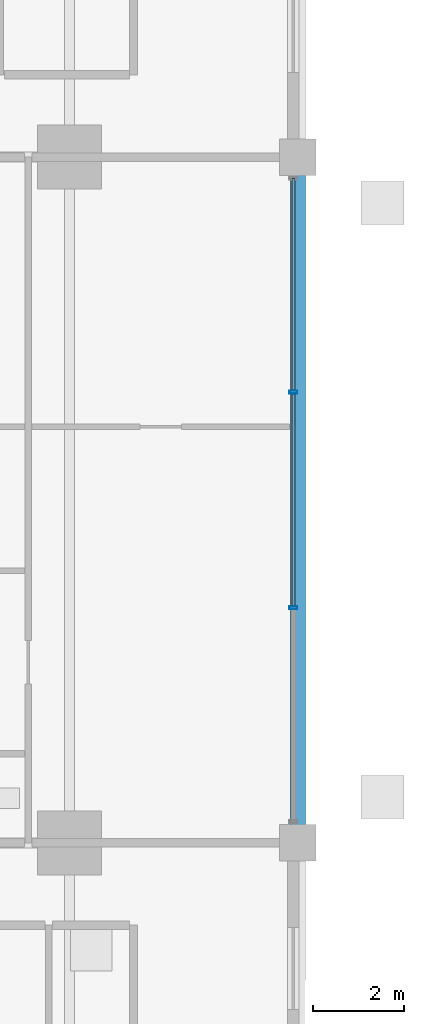
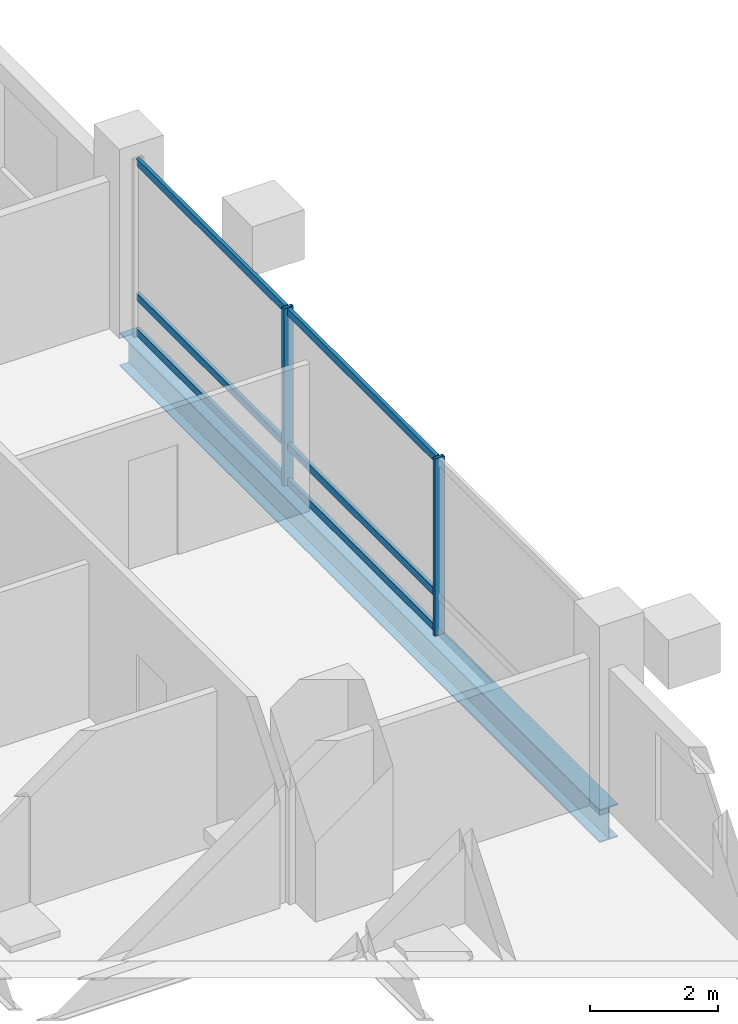
# One storey, part 10 of 24: 8 members, 1 beam, 1 element without a shape of its own.
"""IFC4 building model written with IfcOpenShell, lengths in metres."""

from ifc_helpers import new_model, si_unit, direction, frame, origin, origin_2d, place, context, subcontext, project, spatial, hollow_rectangle, i_section, extrude, material, layer, layer_set, material_profile, profile_set, type_object, element, aggregate, save


model = new_model("IFC4")

# Units and contexts
model_context = context("Model", 3, precision=1e-05, world=origin(), true_north=direction((0.0, 1.0)))
body_context = subcontext(model_context, "Body", "Model", "MODEL_VIEW")
ifc_project = project(units=[si_unit("LENGTHUNIT", "METRE"), si_unit("AREAUNIT", "SQUARE_METRE"), si_unit("VOLUMEUNIT", "CUBIC_METRE"), si_unit("PLANEANGLEUNIT", "RADIAN"), si_unit("MASSUNIT", "GRAM", prefix="KILO")], contexts=[model_context])

# Site, building, storey
site_placement = place(None, origin())
site = spatial("IfcSite", under=ifc_project, at=site_placement, CompositionType="ELEMENT")
building_placement = place(site_placement, origin())
building = spatial("IfcBuilding", under=site, at=building_placement, Name="Barlavira Tower and Art Museum", CompositionType="ELEMENT")
storey_placement = place(building_placement, frame((0.0, 0.0, 43.199951171875)))
storey = spatial("IfcBuildingStorey", under=building, at=storey_placement, Name="L09", CompositionType="ELEMENT", Elevation=43.199951171875)

# Curtain wall, members
ifc_material_1 = material(Name="Low-iron coastal laminated glass", Category="glass")
ifc_layer = layer(ifc_material_1, 0.179931640625, Name="Low-iron coastal laminated glass")
ifc_layer_set = layer_set([ifc_layer], Name="Low-iron coastal laminated glass")
curtain_wall_type = type_object("IfcCurtainWallType", Name="Pale-Metal Unitised Curtain Wall Zone 1", PredefinedType="NOTDEFINED", material=ifc_layer_set)
curtain_wall_placement = place(storey_placement, origin())
curtain_wall = element("IfcCurtainWall", 1, at=curtain_wall_placement, inside=storey, type_object=curtain_wall_type, Name="L09 Curtain Wall CW1-L09-E-B3", PredefinedType="NOTDEFINED")
ifc_material_2 = material(Name="Pale anodised aluminium", Category="aluminium")
ifc_material_profile_1 = material_profile(ifc_material_2, hollow_rectangle(XDim=0.06494140625, YDim=0.179931640625, WallThickness=0.00390625, at=origin_2d()), Name="ALU-MULL 65x180x4")
ifc_profile_set_1 = profile_set([ifc_material_profile_1], Name="Pale anodised aluminium")
member_type_1 = type_object("IfcMemberType", Name="Curtain Wall Pale-Metal Mullion 65x180", PredefinedType="MULLION", material=ifc_profile_set_1)
member_1_placement = place(storey_placement, frame((21.89990234375, -2.360107421875, 0.0), z_axis=(0.0, 0.0, 1.0), x_axis=(0.0, 1.0, 0.0)))
member_1 = element("IfcMember", 2, at=member_1_placement, type_object=member_type_1, Name="CW1-L09-E-B3 Mullion 1", PredefinedType="MULLION", context=body_context, shape_type="SweptSolid", body=[
    extrude(hollow_rectangle(XDim=0.06494140625, YDim=0.179931640625, WallThickness=0.00390625, at=origin_2d()), origin(), (0.0, 0.0, 1.0), 3.380126953125),
])
member_2_placement = place(storey_placement, frame((21.89990234375, 2.360107421875, 0.0), z_axis=(0.0, 0.0, 1.0), x_axis=(0.0, 1.0, 0.0)))
member_2 = element("IfcMember", 3, at=member_2_placement, type_object=member_type_1, Name="CW1-L09-E-B3 Mullion 2", PredefinedType="MULLION", context=body_context, shape_type="SweptSolid", body=[
    extrude(hollow_rectangle(XDim=0.06494140625, YDim=0.179931640625, WallThickness=0.00390625, at=origin_2d()), origin(), (0.0, 0.0, 1.0), 3.380126953125),
])
ifc_material_profile_2 = material_profile(ifc_material_2, hollow_rectangle(XDim=0.06494140625, YDim=0.139892578125, WallThickness=0.00390625, at=origin_2d()), Name="ALU-TRAN 65x140x4")
ifc_profile_set_2 = profile_set([ifc_material_profile_2], Name="Pale anodised aluminium")
member_type_2 = type_object("IfcMemberType", Name="Curtain Wall Pale-Metal Transom 65x140", PredefinedType="USERDEFINED", material=ifc_profile_set_2)
member_3_placement = place(storey_placement, frame((21.89990234375, -2.31494140625, 0.070068359375), z_axis=(0.0, 1.0, 0.0), x_axis=(-1.0, 0.0, 0.0)))
member_3 = element("IfcMember", 4, at=member_3_placement, type_object=member_type_2, Name="CW1-L09-E-B3 Transom 1.1", ObjectType="TRANSOM", PredefinedType="USERDEFINED", context=body_context, shape_type="SweptSolid", body=[
    extrude(hollow_rectangle(XDim=0.06494140625, YDim=0.139892578125, WallThickness=0.00390625, at=origin_2d()), origin(), (0.0, 0.0, 1.0), 4.6298828125),
])
member_4_placement = place(storey_placement, frame((21.89990234375, -2.31494140625, 0.744140625), z_axis=(0.0, 1.0, 0.0), x_axis=(-1.0, 0.0, 0.0)))
member_4 = element("IfcMember", 5, at=member_4_placement, type_object=member_type_2, Name="CW1-L09-E-B3 Transom 1.2", ObjectType="TRANSOM", PredefinedType="USERDEFINED", context=body_context, shape_type="SweptSolid", body=[
    extrude(hollow_rectangle(XDim=0.06494140625, YDim=0.139892578125, WallThickness=0.00390625, at=origin_2d()), origin(), (0.0, 0.0, 1.0), 4.6298828125),
])
member_5_placement = place(storey_placement, frame((21.89990234375, -2.31494140625, 3.31005859375), z_axis=(0.0, 1.0, 0.0), x_axis=(-1.0, 0.0, 0.0)))
member_5 = element("IfcMember", 6, at=member_5_placement, type_object=member_type_2, Name="CW1-L09-E-B3 Transom 1.3", ObjectType="TRANSOM", PredefinedType="USERDEFINED", context=body_context, shape_type="SweptSolid", body=[
    extrude(hollow_rectangle(XDim=0.06494140625, YDim=0.139892578125, WallThickness=0.00390625, at=origin_2d()), origin(), (0.0, 0.0, 1.0), 4.6298828125),
])
member_6_placement = place(storey_placement, frame((21.89990234375, 2.405029296875, 0.070068359375), z_axis=(0.0, 1.0, 0.0), x_axis=(-1.0, 0.0, 0.0)))
member_6 = element("IfcMember", 7, at=member_6_placement, type_object=member_type_2, Name="CW1-L09-E-B3 Transom 2.1", ObjectType="TRANSOM", PredefinedType="USERDEFINED", context=body_context, shape_type="SweptSolid", body=[
    extrude(hollow_rectangle(XDim=0.06494140625, YDim=0.139892578125, WallThickness=0.00390625, at=origin_2d()), origin(), (0.0, 0.0, 1.0), 4.6298828125),
])
member_7_placement = place(storey_placement, frame((21.89990234375, 2.405029296875, 0.744140625), z_axis=(0.0, 1.0, 0.0), x_axis=(-1.0, 0.0, 0.0)))
member_7 = element("IfcMember", 8, at=member_7_placement, type_object=member_type_2, Name="CW1-L09-E-B3 Transom 2.2", ObjectType="TRANSOM", PredefinedType="USERDEFINED", context=body_context, shape_type="SweptSolid", body=[
    extrude(hollow_rectangle(XDim=0.06494140625, YDim=0.139892578125, WallThickness=0.00390625, at=origin_2d()), origin(), (0.0, 0.0, 1.0), 4.6298828125),
])
member_8_placement = place(storey_placement, frame((21.89990234375, 2.405029296875, 3.31005859375), z_axis=(0.0, 1.0, 0.0), x_axis=(-1.0, 0.0, 0.0)))
member_8 = element("IfcMember", 9, at=member_8_placement, type_object=member_type_2, Name="CW1-L09-E-B3 Transom 2.3", ObjectType="TRANSOM", PredefinedType="USERDEFINED", context=body_context, shape_type="SweptSolid", body=[
    extrude(hollow_rectangle(XDim=0.06494140625, YDim=0.139892578125, WallThickness=0.00390625, at=origin_2d()), origin(), (0.0, 0.0, 1.0), 4.6298828125),
])
aggregate(curtain_wall, [member_1, member_2, member_3, member_4, member_5, member_6, member_7, member_8])

# Beam
ifc_material_3 = material(Name="Steel S355", Category="steel")
ifc_material_profile_3 = material_profile(ifc_material_3, i_section(OverallWidth=0.327880859375, OverallDepth=0.62890625, WebThickness=0.013916015625, FlangeThickness=0.021484375, at=origin_2d()), Name="W610x174.0")
ifc_profile_set_3 = profile_set([ifc_material_profile_3], Name="Steel S355")
beam_type = type_object("IfcBeamType", Name="Perimeter Spandrel Edge Beam W610x174 Steel S355", PredefinedType="SPANDREL", material=ifc_profile_set_3)
beam_placement = place(storey_placement, frame((22.0, -7.5, -0.534423828125), z_axis=(0.0, 1.0, 0.0), x_axis=(-1.0, 0.0, 0.0)))
element("IfcBeam", 10, at=beam_placement, inside=storey, type_object=beam_type, Name="L09 Spandrel 6", PredefinedType="SPANDREL", context=body_context, shape_type="SweptSolid", body=[
    extrude(i_section(OverallWidth=0.327880859375, OverallDepth=0.62890625, WebThickness=0.013916015625, FlangeThickness=0.021484375, at=origin_2d()), origin(), (0.0, 0.0, 1.0), 15.0),
])

save(model, "model.ifc")
